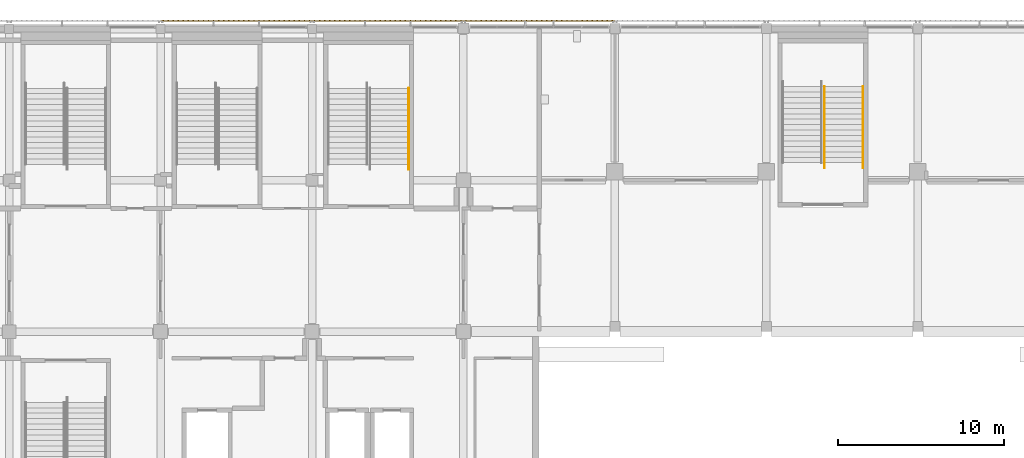
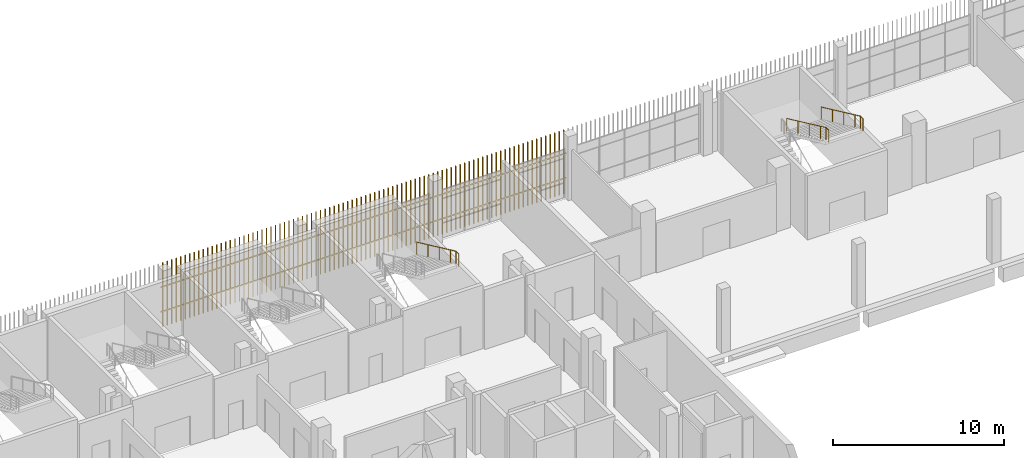
# One storey, part 116 of 126: 3 railings, 3 shading devices.
"""IFC4 building model written with IfcOpenShell, lengths in metres."""

from ifc_helpers import new_model, si_unit, direction, frame, origin, origin_2d, place, context, subcontext, project, spatial, rectangle, circle, extrude, material, type_object, element, save


model = new_model("IFC4")

# Units and contexts
model_context = context("Model", 3, precision=1e-05, world=origin(), true_north=direction((0.0, 1.0)))
body_context = subcontext(model_context, "Body", "Model", "MODEL_VIEW")
ifc_project = project(units=[si_unit("LENGTHUNIT", "METRE"), si_unit("AREAUNIT", "SQUARE_METRE"), si_unit("VOLUMEUNIT", "CUBIC_METRE"), si_unit("PLANEANGLEUNIT", "RADIAN"), si_unit("MASSUNIT", "GRAM", prefix="KILO")], contexts=[model_context])

# Site, building, storey
site_placement = place(None, origin())
site = spatial("IfcSite", under=ifc_project, at=site_placement, CompositionType="ELEMENT")
building_placement = place(site_placement, origin())
building = spatial("IfcBuilding", under=site, at=building_placement, Name="Shirokan Park Arena", CompositionType="ELEMENT")
storey_placement = place(building_placement, frame((0.0, 0.0, 6.3701171875)))
storey = spatial("IfcBuildingStorey", under=building, at=storey_placement, Name="L01", CompositionType="ELEMENT", Elevation=6.3701171875)

# Railings
ifc_material_1 = material(Name="Stainless steel", Category="steel")
railing_type = type_object("IfcRailingType", Name="Stair handrail 900", PredefinedType="HANDRAIL", material=ifc_material_1)
railing_1_placement = place(storey_placement, frame((33.110107421875, 105.623779296875, 2.426513671875)))
element("IfcRailing", 1, at=railing_1_placement, inside=storey, type_object=railing_type, Name="Handrail Exit Stair 4.D L01 to L02", PredefinedType="HANDRAIL", context=body_context, shape_type="SweptSolid", body=[
    extrude(circle(Radius=0.02392578125, at=origin_2d()), frame((0.0, 0.0, 0.8759765625), z_axis=(0.0, -0.907029769225, 0.421066500378), x_axis=(1.0, 0.0, 0.0)), (0.0, 0.0, 1.0), 1.44091796875),
    extrude(circle(Radius=0.02392578125, at=origin_2d()), frame((0.0, -1.306884765625, 1.482421875), z_axis=(0.0, -0.906999720516, 0.421131222998), x_axis=(1.0, 0.0, 0.0)), (0.0, 0.0, 1.0), 1.440673828125),
    extrude(circle(Radius=0.02392578125, at=origin_2d()), frame((0.0, -2.613525390625, 2.08935546875), z_axis=(0.0, -0.907029769225, 0.421066500378), x_axis=(1.0, 0.0, 0.0)), (0.0, 0.0, 1.0), 1.44091796875),
    extrude(circle(Radius=0.02392578125, at=origin_2d()), frame((0.0, -3.92041015625, 2.69580078125), z_axis=(0.0, -0.907064445915, 0.420991794405), x_axis=(1.0, 0.0, 0.0)), (0.0, 0.0, 1.0), 0.72021484375),
    extrude(circle(Radius=0.02392578125, at=origin_2d()), frame((0.0, -4.57373046875, 2.9990234375), z_axis=(0.0, -1.0, 0.0), x_axis=(1.0, 0.0, 0.0)), (0.0, 0.0, 1.0), 0.300048828125),
    extrude(circle(Radius=0.02099609375, at=origin_2d()), origin(), (0.0, 0.0, 1.0), 0.851806640625),
    extrude(circle(Radius=0.02099609375, at=origin_2d()), frame((0.0, -1.306884765625, 0.606689453125)), (0.0, 0.0, 1.0), 0.851806640625),
    extrude(circle(Radius=0.02099609375, at=origin_2d()), frame((0.0, -2.613525390625, 1.21337890625)), (0.0, 0.0, 1.0), 0.851806640625),
    extrude(circle(Radius=0.02099609375, at=origin_2d()), frame((0.0, -3.92041015625, 1.820068359375)), (0.0, 0.0, 1.0), 0.851806640625),
    extrude(circle(Radius=0.02099609375, at=origin_2d()), frame((0.0, -4.57373046875, 2.123291015625)), (0.0, 0.0, 1.0), 0.851806640625),
    extrude(circle(Radius=0.02099609375, at=origin_2d()), frame((0.0, -4.873779296875, 2.123291015625)), (0.0, 0.0, 1.0), 0.851806640625),
])
railing_2_placement = place(storey_placement, frame((58.090087890625, 105.723876953125, 2.426513671875)))
element("IfcRailing", 2, at=railing_2_placement, inside=storey, type_object=railing_type, Name="Handrail Entrance Stair E4.1 L01 to L02", PredefinedType="HANDRAIL", context=body_context, shape_type="SweptSolid", body=[
    extrude(circle(Radius=0.02392578125, at=origin_2d()), frame((0.0, 0.0, 0.8759765625), z_axis=(0.0, -0.907029769225, 0.421066500378), x_axis=(1.0, 0.0, 0.0)), (0.0, 0.0, 1.0), 1.44091796875),
    extrude(circle(Radius=0.02392578125, at=origin_2d()), frame((0.0, -1.306884765625, 1.482421875), z_axis=(0.0, -0.907029769225, 0.421066500378), x_axis=(1.0, 0.0, 0.0)), (0.0, 0.0, 1.0), 1.44091796875),
    extrude(circle(Radius=0.02392578125, at=origin_2d()), frame((0.0, -2.61376953125, 2.08935546875), z_axis=(0.0, -0.906999720516, 0.421131222998), x_axis=(1.0, 0.0, 0.0)), (0.0, 0.0, 1.0), 1.440673828125),
    extrude(circle(Radius=0.02392578125, at=origin_2d()), frame((0.0, -3.92041015625, 2.69580078125), z_axis=(0.0, -0.907124493983, 0.420862391306), x_axis=(1.0, 0.0, 0.0)), (0.0, 0.0, 1.0), 0.720458984375),
    extrude(circle(Radius=0.02392578125, at=origin_2d()), frame((0.0, -4.573974609375, 2.9990234375), z_axis=(0.0, -1.0, 0.0), x_axis=(1.0, 0.0, 0.0)), (0.0, 0.0, 1.0), 0.2998046875),
    extrude(circle(Radius=0.02099609375, at=origin_2d()), origin(), (0.0, 0.0, 1.0), 0.851806640625),
    extrude(circle(Radius=0.02099609375, at=origin_2d()), frame((0.0, -1.306884765625, 0.606689453125)), (0.0, 0.0, 1.0), 0.851806640625),
    extrude(circle(Radius=0.02099609375, at=origin_2d()), frame((0.0, -2.61376953125, 1.21337890625)), (0.0, 0.0, 1.0), 0.851806640625),
    extrude(circle(Radius=0.02099609375, at=origin_2d()), frame((0.0, -3.92041015625, 1.820068359375)), (0.0, 0.0, 1.0), 0.851806640625),
    extrude(circle(Radius=0.02099609375, at=origin_2d()), frame((0.0, -4.573974609375, 2.123291015625)), (0.0, 0.0, 1.0), 0.851806640625),
    extrude(circle(Radius=0.02099609375, at=origin_2d()), frame((0.0, -4.873779296875, 2.123291015625)), (0.0, 0.0, 1.0), 0.851806640625),
])
railing_3_placement = place(storey_placement, frame((60.409912109375, 105.723876953125, 2.426513671875)))
element("IfcRailing", 3, at=railing_3_placement, inside=storey, type_object=railing_type, Name="Handrail Entrance Stair E4.1 L01 to L02", PredefinedType="HANDRAIL", context=body_context, shape_type="SweptSolid", body=[
    extrude(circle(Radius=0.02392578125, at=origin_2d()), frame((0.0, 0.0, 0.8759765625), z_axis=(0.0, -0.907029769225, 0.421066500378), x_axis=(1.0, 0.0, 0.0)), (0.0, 0.0, 1.0), 1.44091796875),
    extrude(circle(Radius=0.02392578125, at=origin_2d()), frame((0.0, -1.306884765625, 1.482421875), z_axis=(0.0, -0.907029769225, 0.421066500378), x_axis=(1.0, 0.0, 0.0)), (0.0, 0.0, 1.0), 1.44091796875),
    extrude(circle(Radius=0.02392578125, at=origin_2d()), frame((0.0, -2.61376953125, 2.08935546875), z_axis=(0.0, -0.906999720516, 0.421131222998), x_axis=(1.0, 0.0, 0.0)), (0.0, 0.0, 1.0), 1.440673828125),
    extrude(circle(Radius=0.02392578125, at=origin_2d()), frame((0.0, -3.92041015625, 2.69580078125), z_axis=(0.0, -0.907124493983, 0.420862391306), x_axis=(1.0, 0.0, 0.0)), (0.0, 0.0, 1.0), 0.720458984375),
    extrude(circle(Radius=0.02392578125, at=origin_2d()), frame((0.0, -4.573974609375, 2.9990234375), z_axis=(0.0, -1.0, 0.0), x_axis=(1.0, 0.0, 0.0)), (0.0, 0.0, 1.0), 0.2998046875),
    extrude(circle(Radius=0.02099609375, at=origin_2d()), origin(), (0.0, 0.0, 1.0), 0.851806640625),
    extrude(circle(Radius=0.02099609375, at=origin_2d()), frame((0.0, -1.306884765625, 0.606689453125)), (0.0, 0.0, 1.0), 0.851806640625),
    extrude(circle(Radius=0.02099609375, at=origin_2d()), frame((0.0, -2.61376953125, 1.21337890625)), (0.0, 0.0, 1.0), 0.851806640625),
    extrude(circle(Radius=0.02099609375, at=origin_2d()), frame((0.0, -3.92041015625, 1.820068359375)), (0.0, 0.0, 1.0), 0.851806640625),
    extrude(circle(Radius=0.02099609375, at=origin_2d()), frame((0.0, -4.573974609375, 2.123291015625)), (0.0, 0.0, 1.0), 0.851806640625),
    extrude(circle(Radius=0.02099609375, at=origin_2d()), frame((0.0, -4.873779296875, 2.123291015625)), (0.0, 0.0, 1.0), 0.851806640625),
])

# Shading devices
ifc_material_2 = material(Name="Timber louvre veil (cedar)", Category="wood")
shading_device_type = type_object("IfcShadingDeviceType", Name="Timber louvre veil panel", PredefinedType="JALOUSIE", material=ifc_material_2)
shading_device_1_placement = place(storey_placement, origin())
element("IfcShadingDevice", 4, at=shading_device_1_placement, inside=storey, type_object=shading_device_type, Name="Timber louvre veil north bay 12 L01", PredefinedType="JALOUSIE", context=body_context, shape_type="SweptSolid", body=[
    extrude(rectangle(XDim=0.050048828125, YDim=0.080078125, at=origin_2d()), frame((45.348388671875, 109.68505859375, 0.0), z_axis=(0.0, 0.0, 1.0), x_axis=(-1.0, 0.0, 0.0)), (0.0, 0.0, 1.0), 4.550048828125),
    extrude(rectangle(XDim=0.050048828125, YDim=0.080078125, at=origin_2d()), frame((45.044921875, 109.68505859375, 0.0), z_axis=(0.0, 0.0, 1.0), x_axis=(-1.0, 0.0, 0.0)), (0.0, 0.0, 1.0), 4.550048828125),
    extrude(rectangle(XDim=0.050048828125, YDim=0.080078125, at=origin_2d()), frame((44.74169921875, 109.68505859375, 0.0), z_axis=(0.0, 0.0, 1.0), x_axis=(-1.0, 0.0, 0.0)), (0.0, 0.0, 1.0), 4.550048828125),
    extrude(rectangle(XDim=0.050048828125, YDim=0.080078125, at=origin_2d()), frame((44.438232421875, 109.68505859375, 0.0), z_axis=(0.0, 0.0, 1.0), x_axis=(-1.0, 0.0, 0.0)), (0.0, 0.0, 1.0), 4.550048828125),
    extrude(rectangle(XDim=0.050048828125, YDim=0.080078125, at=origin_2d()), frame((44.135009765625, 109.68505859375, 0.0), z_axis=(0.0, 0.0, 1.0), x_axis=(-1.0, 0.0, 0.0)), (0.0, 0.0, 1.0), 4.550048828125),
    extrude(rectangle(XDim=0.050048828125, YDim=0.080078125, at=origin_2d()), frame((43.831787109375, 109.68505859375, 0.0), z_axis=(0.0, 0.0, 1.0), x_axis=(-1.0, 0.0, 0.0)), (0.0, 0.0, 1.0), 4.550048828125),
    extrude(rectangle(XDim=0.050048828125, YDim=0.080078125, at=origin_2d()), frame((43.5283203125, 109.68505859375, 0.0), z_axis=(0.0, 0.0, 1.0), x_axis=(-1.0, 0.0, 0.0)), (0.0, 0.0, 1.0), 4.550048828125),
    extrude(rectangle(XDim=0.050048828125, YDim=0.080078125, at=origin_2d()), frame((43.22509765625, 109.68505859375, 0.0), z_axis=(0.0, 0.0, 1.0), x_axis=(-1.0, 0.0, 0.0)), (0.0, 0.0, 1.0), 4.550048828125),
    extrude(rectangle(XDim=0.050048828125, YDim=0.080078125, at=origin_2d()), frame((42.921630859375, 109.68505859375, 0.0), z_axis=(0.0, 0.0, 1.0), x_axis=(-1.0, 0.0, 0.0)), (0.0, 0.0, 1.0), 4.550048828125),
    extrude(rectangle(XDim=0.050048828125, YDim=0.080078125, at=origin_2d()), frame((42.618408203125, 109.68505859375, 0.0), z_axis=(0.0, 0.0, 1.0), x_axis=(-1.0, 0.0, 0.0)), (0.0, 0.0, 1.0), 4.550048828125),
    extrude(rectangle(XDim=0.050048828125, YDim=0.080078125, at=origin_2d()), frame((42.31494140625, 109.68505859375, 0.0), z_axis=(0.0, 0.0, 1.0), x_axis=(-1.0, 0.0, 0.0)), (0.0, 0.0, 1.0), 4.550048828125),
    extrude(rectangle(XDim=0.050048828125, YDim=0.080078125, at=origin_2d()), frame((42.01171875, 109.68505859375, 0.0), z_axis=(0.0, 0.0, 1.0), x_axis=(-1.0, 0.0, 0.0)), (0.0, 0.0, 1.0), 4.550048828125),
    extrude(rectangle(XDim=0.050048828125, YDim=0.080078125, at=origin_2d()), frame((41.708251953125, 109.68505859375, 0.0), z_axis=(0.0, 0.0, 1.0), x_axis=(-1.0, 0.0, 0.0)), (0.0, 0.0, 1.0), 4.550048828125),
    extrude(rectangle(XDim=0.050048828125, YDim=0.080078125, at=origin_2d()), frame((41.405029296875, 109.68505859375, 0.0), z_axis=(0.0, 0.0, 1.0), x_axis=(-1.0, 0.0, 0.0)), (0.0, 0.0, 1.0), 4.550048828125),
    extrude(rectangle(XDim=0.050048828125, YDim=0.080078125, at=origin_2d()), frame((41.1015625, 109.68505859375, 0.0), z_axis=(0.0, 0.0, 1.0), x_axis=(-1.0, 0.0, 0.0)), (0.0, 0.0, 1.0), 4.550048828125),
    extrude(rectangle(XDim=0.050048828125, YDim=0.080078125, at=origin_2d()), frame((40.79833984375, 109.68505859375, 0.0), z_axis=(0.0, 0.0, 1.0), x_axis=(-1.0, 0.0, 0.0)), (0.0, 0.0, 1.0), 4.550048828125),
    extrude(rectangle(XDim=0.050048828125, YDim=0.080078125, at=origin_2d()), frame((40.4951171875, 109.68505859375, 0.0), z_axis=(0.0, 0.0, 1.0), x_axis=(-1.0, 0.0, 0.0)), (0.0, 0.0, 1.0), 4.550048828125),
    extrude(rectangle(XDim=0.050048828125, YDim=0.080078125, at=origin_2d()), frame((40.191650390625, 109.68505859375, 0.0), z_axis=(0.0, 0.0, 1.0), x_axis=(-1.0, 0.0, 0.0)), (0.0, 0.0, 1.0), 4.550048828125),
    extrude(rectangle(XDim=0.050048828125, YDim=0.080078125, at=origin_2d()), frame((39.888427734375, 109.68505859375, 0.0), z_axis=(0.0, 0.0, 1.0), x_axis=(-1.0, 0.0, 0.0)), (0.0, 0.0, 1.0), 4.550048828125),
    extrude(rectangle(XDim=0.050048828125, YDim=0.080078125, at=origin_2d()), frame((39.5849609375, 109.68505859375, 0.0), z_axis=(0.0, 0.0, 1.0), x_axis=(-1.0, 0.0, 0.0)), (0.0, 0.0, 1.0), 4.550048828125),
    extrude(rectangle(XDim=0.050048828125, YDim=0.080078125, at=origin_2d()), frame((39.28173828125, 109.68505859375, 0.0), z_axis=(0.0, 0.0, 1.0), x_axis=(-1.0, 0.0, 0.0)), (0.0, 0.0, 1.0), 4.550048828125),
    extrude(rectangle(XDim=0.050048828125, YDim=0.080078125, at=origin_2d()), frame((38.978271484375, 109.68505859375, 0.0), z_axis=(0.0, 0.0, 1.0), x_axis=(-1.0, 0.0, 0.0)), (0.0, 0.0, 1.0), 4.550048828125),
    extrude(rectangle(XDim=0.050048828125, YDim=0.080078125, at=origin_2d()), frame((38.675048828125, 109.68505859375, 0.0), z_axis=(0.0, 0.0, 1.0), x_axis=(-1.0, 0.0, 0.0)), (0.0, 0.0, 1.0), 4.550048828125),
    extrude(rectangle(XDim=0.050048828125, YDim=0.080078125, at=origin_2d()), frame((38.37158203125, 109.68505859375, 0.0), z_axis=(0.0, 0.0, 1.0), x_axis=(-1.0, 0.0, 0.0)), (0.0, 0.0, 1.0), 4.550048828125),
    extrude(rectangle(XDim=0.050048828125, YDim=0.080078125, at=origin_2d()), frame((38.068359375, 109.68505859375, 0.0), z_axis=(0.0, 0.0, 1.0), x_axis=(-1.0, 0.0, 0.0)), (0.0, 0.0, 1.0), 4.550048828125),
    extrude(rectangle(XDim=0.050048828125, YDim=0.080078125, at=origin_2d()), frame((37.764892578125, 109.68505859375, 0.0), z_axis=(0.0, 0.0, 1.0), x_axis=(-1.0, 0.0, 0.0)), (0.0, 0.0, 1.0), 4.550048828125),
    extrude(rectangle(XDim=0.050048828125, YDim=0.080078125, at=origin_2d()), frame((37.461669921875, 109.68505859375, 0.0), z_axis=(0.0, 0.0, 1.0), x_axis=(-1.0, 0.0, 0.0)), (0.0, 0.0, 1.0), 4.550048828125),
    extrude(rectangle(XDim=0.050048828125, YDim=0.080078125, at=origin_2d()), frame((37.158447265625, 109.68505859375, 0.0), z_axis=(0.0, 0.0, 1.0), x_axis=(-1.0, 0.0, 0.0)), (0.0, 0.0, 1.0), 4.550048828125),
    extrude(rectangle(XDim=0.050048828125, YDim=0.080078125, at=origin_2d()), frame((36.85498046875, 109.68505859375, 0.0), z_axis=(0.0, 0.0, 1.0), x_axis=(-1.0, 0.0, 0.0)), (0.0, 0.0, 1.0), 4.550048828125),
    extrude(rectangle(XDim=0.050048828125, YDim=0.080078125, at=origin_2d()), frame((36.5517578125, 109.68505859375, 0.0), z_axis=(0.0, 0.0, 1.0), x_axis=(-1.0, 0.0, 0.0)), (0.0, 0.0, 1.0), 4.550048828125),
    extrude(rectangle(XDim=9.10009765625, YDim=0.050048828125, at=origin_2d()), frame((40.949951171875, 109.669921875, 1.059814453125), z_axis=(0.0, 0.0, 1.0), x_axis=(-1.0, 0.0, 0.0)), (0.0, 0.0, 1.0), 0.080078125),
    extrude(rectangle(XDim=9.10009765625, YDim=0.050048828125, at=origin_2d()), frame((40.949951171875, 109.669921875, 2.809814453125), z_axis=(0.0, 0.0, 1.0), x_axis=(-1.0, 0.0, 0.0)), (0.0, 0.0, 1.0), 0.080078125),
])
shading_device_2_placement = place(storey_placement, origin())
element("IfcShadingDevice", 5, at=shading_device_2_placement, inside=storey, type_object=shading_device_type, Name="Timber louvre veil north bay 13 L01", PredefinedType="JALOUSIE", context=body_context, shape_type="SweptSolid", body=[
    extrude(rectangle(XDim=0.050048828125, YDim=0.080078125, at=origin_2d()), frame((36.248291015625, 109.68505859375, 0.0), z_axis=(0.0, 0.0, 1.0), x_axis=(-1.0, 0.0, 0.0)), (0.0, 0.0, 1.0), 4.550048828125),
    extrude(rectangle(XDim=0.050048828125, YDim=0.080078125, at=origin_2d()), frame((35.945068359375, 109.68505859375, 0.0), z_axis=(0.0, 0.0, 1.0), x_axis=(-1.0, 0.0, 0.0)), (0.0, 0.0, 1.0), 4.550048828125),
    extrude(rectangle(XDim=0.050048828125, YDim=0.080078125, at=origin_2d()), frame((35.6416015625, 109.68505859375, 0.0), z_axis=(0.0, 0.0, 1.0), x_axis=(-1.0, 0.0, 0.0)), (0.0, 0.0, 1.0), 4.550048828125),
    extrude(rectangle(XDim=0.050048828125, YDim=0.080078125, at=origin_2d()), frame((35.33837890625, 109.68505859375, 0.0), z_axis=(0.0, 0.0, 1.0), x_axis=(-1.0, 0.0, 0.0)), (0.0, 0.0, 1.0), 4.550048828125),
    extrude(rectangle(XDim=0.050048828125, YDim=0.080078125, at=origin_2d()), frame((35.034912109375, 109.68505859375, 0.0), z_axis=(0.0, 0.0, 1.0), x_axis=(-1.0, 0.0, 0.0)), (0.0, 0.0, 1.0), 4.550048828125),
    extrude(rectangle(XDim=0.050048828125, YDim=0.080078125, at=origin_2d()), frame((34.731689453125, 109.68505859375, 0.0), z_axis=(0.0, 0.0, 1.0), x_axis=(-1.0, 0.0, 0.0)), (0.0, 0.0, 1.0), 4.550048828125),
    extrude(rectangle(XDim=0.050048828125, YDim=0.080078125, at=origin_2d()), frame((34.42822265625, 109.68505859375, 0.0), z_axis=(0.0, 0.0, 1.0), x_axis=(-1.0, 0.0, 0.0)), (0.0, 0.0, 1.0), 4.550048828125),
    extrude(rectangle(XDim=0.050048828125, YDim=0.080078125, at=origin_2d()), frame((34.125, 109.68505859375, 0.0), z_axis=(0.0, 0.0, 1.0), x_axis=(-1.0, 0.0, 0.0)), (0.0, 0.0, 1.0), 4.550048828125),
    extrude(rectangle(XDim=0.050048828125, YDim=0.080078125, at=origin_2d()), frame((33.82177734375, 109.68505859375, 0.0), z_axis=(0.0, 0.0, 1.0), x_axis=(-1.0, 0.0, 0.0)), (0.0, 0.0, 1.0), 4.550048828125),
    extrude(rectangle(XDim=0.050048828125, YDim=0.080078125, at=origin_2d()), frame((33.518310546875, 109.68505859375, 0.0), z_axis=(0.0, 0.0, 1.0), x_axis=(-1.0, 0.0, 0.0)), (0.0, 0.0, 1.0), 4.550048828125),
    extrude(rectangle(XDim=0.050048828125, YDim=0.080078125, at=origin_2d()), frame((33.215087890625, 109.68505859375, 0.0), z_axis=(0.0, 0.0, 1.0), x_axis=(-1.0, 0.0, 0.0)), (0.0, 0.0, 1.0), 4.550048828125),
    extrude(rectangle(XDim=0.050048828125, YDim=0.080078125, at=origin_2d()), frame((32.91162109375, 109.68505859375, 0.0), z_axis=(0.0, 0.0, 1.0), x_axis=(-1.0, 0.0, 0.0)), (0.0, 0.0, 1.0), 4.550048828125),
    extrude(rectangle(XDim=0.050048828125, YDim=0.080078125, at=origin_2d()), frame((32.6083984375, 109.68505859375, 0.0), z_axis=(0.0, 0.0, 1.0), x_axis=(-1.0, 0.0, 0.0)), (0.0, 0.0, 1.0), 4.550048828125),
    extrude(rectangle(XDim=0.050048828125, YDim=0.080078125, at=origin_2d()), frame((32.304931640625, 109.68505859375, 0.0), z_axis=(0.0, 0.0, 1.0), x_axis=(-1.0, 0.0, 0.0)), (0.0, 0.0, 1.0), 4.550048828125),
    extrude(rectangle(XDim=0.050048828125, YDim=0.080078125, at=origin_2d()), frame((32.001708984375, 109.68505859375, 0.0), z_axis=(0.0, 0.0, 1.0), x_axis=(-1.0, 0.0, 0.0)), (0.0, 0.0, 1.0), 4.550048828125),
    extrude(rectangle(XDim=0.050048828125, YDim=0.080078125, at=origin_2d()), frame((31.6982421875, 109.68505859375, 0.0), z_axis=(0.0, 0.0, 1.0), x_axis=(-1.0, 0.0, 0.0)), (0.0, 0.0, 1.0), 4.550048828125),
    extrude(rectangle(XDim=0.050048828125, YDim=0.080078125, at=origin_2d()), frame((31.39501953125, 109.68505859375, 0.0), z_axis=(0.0, 0.0, 1.0), x_axis=(-1.0, 0.0, 0.0)), (0.0, 0.0, 1.0), 4.550048828125),
    extrude(rectangle(XDim=0.050048828125, YDim=0.080078125, at=origin_2d()), frame((31.091552734375, 109.68505859375, 0.0), z_axis=(0.0, 0.0, 1.0), x_axis=(-1.0, 0.0, 0.0)), (0.0, 0.0, 1.0), 4.550048828125),
    extrude(rectangle(XDim=0.050048828125, YDim=0.080078125, at=origin_2d()), frame((30.788330078125, 109.68505859375, 0.0), z_axis=(0.0, 0.0, 1.0), x_axis=(-1.0, 0.0, 0.0)), (0.0, 0.0, 1.0), 4.550048828125),
    extrude(rectangle(XDim=0.050048828125, YDim=0.080078125, at=origin_2d()), frame((30.485107421875, 109.68505859375, 0.0), z_axis=(0.0, 0.0, 1.0), x_axis=(-1.0, 0.0, 0.0)), (0.0, 0.0, 1.0), 4.550048828125),
    extrude(rectangle(XDim=0.050048828125, YDim=0.080078125, at=origin_2d()), frame((30.181640625, 109.68505859375, 0.0), z_axis=(0.0, 0.0, 1.0), x_axis=(-1.0, 0.0, 0.0)), (0.0, 0.0, 1.0), 4.550048828125),
    extrude(rectangle(XDim=0.050048828125, YDim=0.080078125, at=origin_2d()), frame((29.87841796875, 109.68505859375, 0.0), z_axis=(0.0, 0.0, 1.0), x_axis=(-1.0, 0.0, 0.0)), (0.0, 0.0, 1.0), 4.550048828125),
    extrude(rectangle(XDim=0.050048828125, YDim=0.080078125, at=origin_2d()), frame((29.574951171875, 109.68505859375, 0.0), z_axis=(0.0, 0.0, 1.0), x_axis=(-1.0, 0.0, 0.0)), (0.0, 0.0, 1.0), 4.550048828125),
    extrude(rectangle(XDim=0.050048828125, YDim=0.080078125, at=origin_2d()), frame((29.271728515625, 109.68505859375, 0.0), z_axis=(0.0, 0.0, 1.0), x_axis=(-1.0, 0.0, 0.0)), (0.0, 0.0, 1.0), 4.550048828125),
    extrude(rectangle(XDim=0.050048828125, YDim=0.080078125, at=origin_2d()), frame((28.96826171875, 109.68505859375, 0.0), z_axis=(0.0, 0.0, 1.0), x_axis=(-1.0, 0.0, 0.0)), (0.0, 0.0, 1.0), 4.550048828125),
    extrude(rectangle(XDim=0.050048828125, YDim=0.080078125, at=origin_2d()), frame((28.6650390625, 109.68505859375, 0.0), z_axis=(0.0, 0.0, 1.0), x_axis=(-1.0, 0.0, 0.0)), (0.0, 0.0, 1.0), 4.550048828125),
    extrude(rectangle(XDim=0.050048828125, YDim=0.080078125, at=origin_2d()), frame((28.361572265625, 109.68505859375, 0.0), z_axis=(0.0, 0.0, 1.0), x_axis=(-1.0, 0.0, 0.0)), (0.0, 0.0, 1.0), 4.550048828125),
    extrude(rectangle(XDim=0.050048828125, YDim=0.080078125, at=origin_2d()), frame((28.058349609375, 109.68505859375, 0.0), z_axis=(0.0, 0.0, 1.0), x_axis=(-1.0, 0.0, 0.0)), (0.0, 0.0, 1.0), 4.550048828125),
    extrude(rectangle(XDim=0.050048828125, YDim=0.080078125, at=origin_2d()), frame((27.7548828125, 109.68505859375, 0.0), z_axis=(0.0, 0.0, 1.0), x_axis=(-1.0, 0.0, 0.0)), (0.0, 0.0, 1.0), 4.550048828125),
    extrude(rectangle(XDim=0.050048828125, YDim=0.080078125, at=origin_2d()), frame((27.45166015625, 109.68505859375, 0.0), z_axis=(0.0, 0.0, 1.0), x_axis=(-1.0, 0.0, 0.0)), (0.0, 0.0, 1.0), 4.550048828125),
    extrude(rectangle(XDim=9.10009765625, YDim=0.050048828125, at=origin_2d()), frame((31.85009765625, 109.669921875, 1.059814453125), z_axis=(0.0, 0.0, 1.0), x_axis=(-1.0, 0.0, 0.0)), (0.0, 0.0, 1.0), 0.080078125),
    extrude(rectangle(XDim=9.10009765625, YDim=0.050048828125, at=origin_2d()), frame((31.85009765625, 109.669921875, 2.809814453125), z_axis=(0.0, 0.0, 1.0), x_axis=(-1.0, 0.0, 0.0)), (0.0, 0.0, 1.0), 0.080078125),
])
shading_device_3_placement = place(storey_placement, origin())
element("IfcShadingDevice", 6, at=shading_device_3_placement, inside=storey, type_object=shading_device_type, Name="Timber louvre veil north bay 14 L01", PredefinedType="JALOUSIE", context=body_context, shape_type="SweptSolid", body=[
    extrude(rectangle(XDim=0.050048828125, YDim=0.080078125, at=origin_2d()), frame((27.1484375, 109.68505859375, 0.0), z_axis=(0.0, 0.0, 1.0), x_axis=(-1.0, 0.0, 0.0)), (0.0, 0.0, 1.0), 4.550048828125),
    extrude(rectangle(XDim=0.050048828125, YDim=0.080078125, at=origin_2d()), frame((26.844970703125, 109.68505859375, 0.0), z_axis=(0.0, 0.0, 1.0), x_axis=(-1.0, 0.0, 0.0)), (0.0, 0.0, 1.0), 4.550048828125),
    extrude(rectangle(XDim=0.050048828125, YDim=0.080078125, at=origin_2d()), frame((26.541748046875, 109.68505859375, 0.0), z_axis=(0.0, 0.0, 1.0), x_axis=(-1.0, 0.0, 0.0)), (0.0, 0.0, 1.0), 4.550048828125),
    extrude(rectangle(XDim=0.050048828125, YDim=0.080078125, at=origin_2d()), frame((26.23828125, 109.68505859375, 0.0), z_axis=(0.0, 0.0, 1.0), x_axis=(-1.0, 0.0, 0.0)), (0.0, 0.0, 1.0), 4.550048828125),
    extrude(rectangle(XDim=0.050048828125, YDim=0.080078125, at=origin_2d()), frame((25.93505859375, 109.68505859375, 0.0), z_axis=(0.0, 0.0, 1.0), x_axis=(-1.0, 0.0, 0.0)), (0.0, 0.0, 1.0), 4.550048828125),
    extrude(rectangle(XDim=0.050048828125, YDim=0.080078125, at=origin_2d()), frame((25.631591796875, 109.68505859375, 0.0), z_axis=(0.0, 0.0, 1.0), x_axis=(-1.0, 0.0, 0.0)), (0.0, 0.0, 1.0), 4.550048828125),
    extrude(rectangle(XDim=0.050048828125, YDim=0.080078125, at=origin_2d()), frame((25.328369140625, 109.68505859375, 0.0), z_axis=(0.0, 0.0, 1.0), x_axis=(-1.0, 0.0, 0.0)), (0.0, 0.0, 1.0), 4.550048828125),
    extrude(rectangle(XDim=0.050048828125, YDim=0.080078125, at=origin_2d()), frame((25.02490234375, 109.68505859375, 0.0), z_axis=(0.0, 0.0, 1.0), x_axis=(-1.0, 0.0, 0.0)), (0.0, 0.0, 1.0), 4.550048828125),
    extrude(rectangle(XDim=0.050048828125, YDim=0.080078125, at=origin_2d()), frame((24.7216796875, 109.68505859375, 0.0), z_axis=(0.0, 0.0, 1.0), x_axis=(-1.0, 0.0, 0.0)), (0.0, 0.0, 1.0), 4.550048828125),
    extrude(rectangle(XDim=0.050048828125, YDim=0.080078125, at=origin_2d()), frame((24.418212890625, 109.68505859375, 0.0), z_axis=(0.0, 0.0, 1.0), x_axis=(-1.0, 0.0, 0.0)), (0.0, 0.0, 1.0), 4.550048828125),
    extrude(rectangle(XDim=0.050048828125, YDim=0.080078125, at=origin_2d()), frame((24.114990234375, 109.68505859375, 0.0), z_axis=(0.0, 0.0, 1.0), x_axis=(-1.0, 0.0, 0.0)), (0.0, 0.0, 1.0), 4.550048828125),
    extrude(rectangle(XDim=0.050048828125, YDim=0.080078125, at=origin_2d()), frame((23.811767578125, 109.68505859375, 0.0), z_axis=(0.0, 0.0, 1.0), x_axis=(-1.0, 0.0, 0.0)), (0.0, 0.0, 1.0), 4.550048828125),
    extrude(rectangle(XDim=0.050048828125, YDim=0.080078125, at=origin_2d()), frame((23.50830078125, 109.68505859375, 0.0), z_axis=(0.0, 0.0, 1.0), x_axis=(-1.0, 0.0, 0.0)), (0.0, 0.0, 1.0), 4.550048828125),
    extrude(rectangle(XDim=0.050048828125, YDim=0.080078125, at=origin_2d()), frame((23.205078125, 109.68505859375, 0.0), z_axis=(0.0, 0.0, 1.0), x_axis=(-1.0, 0.0, 0.0)), (0.0, 0.0, 1.0), 4.550048828125),
    extrude(rectangle(XDim=0.050048828125, YDim=0.080078125, at=origin_2d()), frame((22.901611328125, 109.68505859375, 0.0), z_axis=(0.0, 0.0, 1.0), x_axis=(-1.0, 0.0, 0.0)), (0.0, 0.0, 1.0), 4.550048828125),
    extrude(rectangle(XDim=0.050048828125, YDim=0.080078125, at=origin_2d()), frame((22.598388671875, 109.68505859375, 0.0), z_axis=(0.0, 0.0, 1.0), x_axis=(-1.0, 0.0, 0.0)), (0.0, 0.0, 1.0), 4.550048828125),
    extrude(rectangle(XDim=0.050048828125, YDim=0.080078125, at=origin_2d()), frame((22.294921875, 109.68505859375, 0.0), z_axis=(0.0, 0.0, 1.0), x_axis=(-1.0, 0.0, 0.0)), (0.0, 0.0, 1.0), 4.550048828125),
    extrude(rectangle(XDim=0.050048828125, YDim=0.080078125, at=origin_2d()), frame((21.99169921875, 109.68505859375, 0.0), z_axis=(0.0, 0.0, 1.0), x_axis=(-1.0, 0.0, 0.0)), (0.0, 0.0, 1.0), 4.550048828125),
    extrude(rectangle(XDim=0.050048828125, YDim=0.080078125, at=origin_2d()), frame((21.688232421875, 109.68505859375, 0.0), z_axis=(0.0, 0.0, 1.0), x_axis=(-1.0, 0.0, 0.0)), (0.0, 0.0, 1.0), 4.550048828125),
    extrude(rectangle(XDim=0.050048828125, YDim=0.080078125, at=origin_2d()), frame((21.385009765625, 109.68505859375, 0.0), z_axis=(0.0, 0.0, 1.0), x_axis=(-1.0, 0.0, 0.0)), (0.0, 0.0, 1.0), 4.550048828125),
    extrude(rectangle(XDim=0.050048828125, YDim=0.080078125, at=origin_2d()), frame((21.081787109375, 109.68505859375, 0.0), z_axis=(0.0, 0.0, 1.0), x_axis=(-1.0, 0.0, 0.0)), (0.0, 0.0, 1.0), 4.550048828125),
    extrude(rectangle(XDim=0.050048828125, YDim=0.080078125, at=origin_2d()), frame((20.7783203125, 109.68505859375, 0.0), z_axis=(0.0, 0.0, 1.0), x_axis=(-1.0, 0.0, 0.0)), (0.0, 0.0, 1.0), 4.550048828125),
    extrude(rectangle(XDim=0.050048828125, YDim=0.080078125, at=origin_2d()), frame((20.47509765625, 109.68505859375, 0.0), z_axis=(0.0, 0.0, 1.0), x_axis=(-1.0, 0.0, 0.0)), (0.0, 0.0, 1.0), 4.550048828125),
    extrude(rectangle(XDim=0.050048828125, YDim=0.080078125, at=origin_2d()), frame((20.171630859375, 109.68505859375, 0.0), z_axis=(0.0, 0.0, 1.0), x_axis=(-1.0, 0.0, 0.0)), (0.0, 0.0, 1.0), 4.550048828125),
    extrude(rectangle(XDim=0.050048828125, YDim=0.080078125, at=origin_2d()), frame((19.868408203125, 109.68505859375, 0.0), z_axis=(0.0, 0.0, 1.0), x_axis=(-1.0, 0.0, 0.0)), (0.0, 0.0, 1.0), 4.550048828125),
    extrude(rectangle(XDim=0.050048828125, YDim=0.080078125, at=origin_2d()), frame((19.56494140625, 109.68505859375, 0.0), z_axis=(0.0, 0.0, 1.0), x_axis=(-1.0, 0.0, 0.0)), (0.0, 0.0, 1.0), 4.550048828125),
    extrude(rectangle(XDim=0.050048828125, YDim=0.080078125, at=origin_2d()), frame((19.26171875, 109.68505859375, 0.0), z_axis=(0.0, 0.0, 1.0), x_axis=(-1.0, 0.0, 0.0)), (0.0, 0.0, 1.0), 4.550048828125),
    extrude(rectangle(XDim=0.050048828125, YDim=0.080078125, at=origin_2d()), frame((18.958251953125, 109.68505859375, 0.0), z_axis=(0.0, 0.0, 1.0), x_axis=(-1.0, 0.0, 0.0)), (0.0, 0.0, 1.0), 4.550048828125),
    extrude(rectangle(XDim=0.050048828125, YDim=0.080078125, at=origin_2d()), frame((18.655029296875, 109.68505859375, 0.0), z_axis=(0.0, 0.0, 1.0), x_axis=(-1.0, 0.0, 0.0)), (0.0, 0.0, 1.0), 4.550048828125),
    extrude(rectangle(XDim=0.050048828125, YDim=0.080078125, at=origin_2d()), frame((18.3515625, 109.68505859375, 0.0), z_axis=(0.0, 0.0, 1.0), x_axis=(-1.0, 0.0, 0.0)), (0.0, 0.0, 1.0), 4.550048828125),
    extrude(rectangle(XDim=9.10009765625, YDim=0.050048828125, at=origin_2d()), frame((22.75, 109.669921875, 1.059814453125), z_axis=(0.0, 0.0, 1.0), x_axis=(-1.0, 0.0, 0.0)), (0.0, 0.0, 1.0), 0.080078125),
    extrude(rectangle(XDim=9.10009765625, YDim=0.050048828125, at=origin_2d()), frame((22.75, 109.669921875, 2.809814453125), z_axis=(0.0, 0.0, 1.0), x_axis=(-1.0, 0.0, 0.0)), (0.0, 0.0, 1.0), 0.080078125),
])

save(model, "model.ifc")
